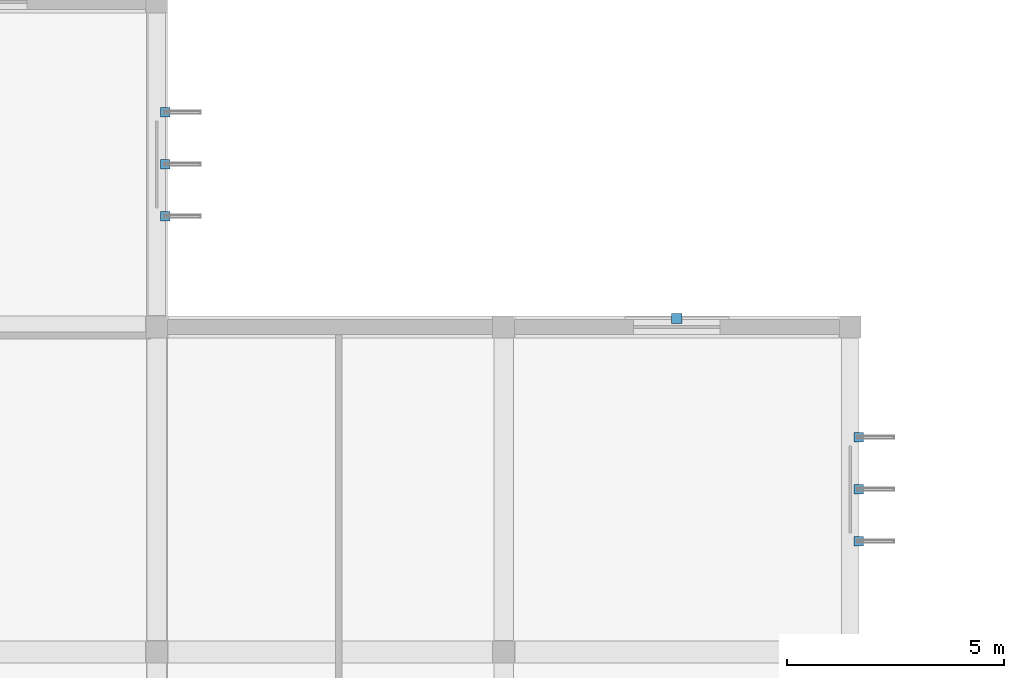
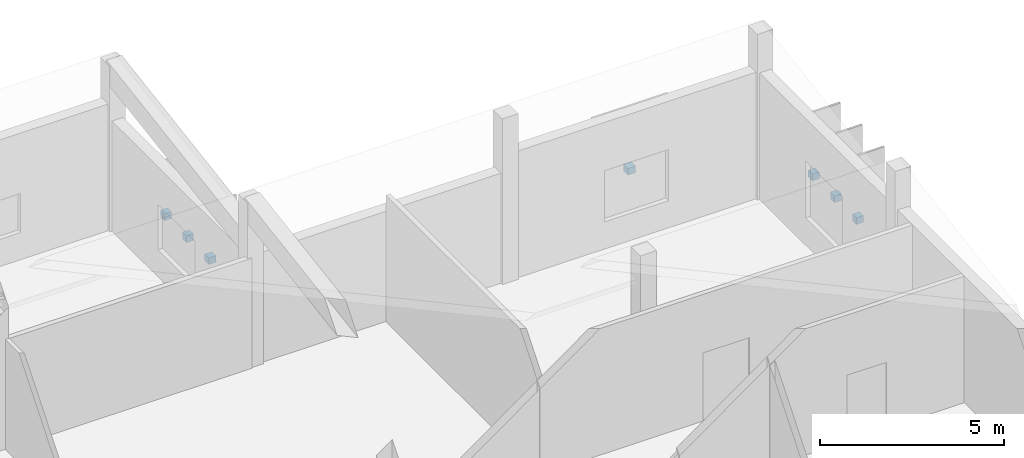
# One storey, part 153 of 164: 7 discrete accessories.
"""IFC4 building model written with IfcOpenShell, lengths in metres."""

from ifc_helpers import new_model, si_unit, direction, frame, origin, origin_2d, place, context, subcontext, project, spatial, rectangle, extrude, material, layer, layer_set, type_object, element, save


model = new_model("IFC4")

# Units and contexts
model_context = context("Model", 3, precision=1e-05, world=origin(), true_north=direction((0.0, 1.0)))
body_context = subcontext(model_context, "Body", "Model", "MODEL_VIEW")
ifc_project = project(units=[si_unit("LENGTHUNIT", "METRE"), si_unit("AREAUNIT", "SQUARE_METRE"), si_unit("VOLUMEUNIT", "CUBIC_METRE"), si_unit("PLANEANGLEUNIT", "RADIAN"), si_unit("MASSUNIT", "GRAM", prefix="KILO")], contexts=[model_context])

# Site, building, storey
site_placement = place(None, origin())
site = spatial("IfcSite", under=ifc_project, at=site_placement, CompositionType="ELEMENT")
building_placement = place(site_placement, origin())
building = spatial("IfcBuilding", under=site, at=building_placement, Name="Mawjan Specialist Oncology Clinic", CompositionType="ELEMENT")
storey_placement = place(building_placement, frame((0.0, 0.0, 5.0)))
storey = spatial("IfcBuildingStorey", under=building, at=storey_placement, Name="L01", CompositionType="ELEMENT", Elevation=5.0)

# Discrete accessories
ifc_material = material(Name="Structural steel S355", Category="steel")
ifc_layer = layer(ifc_material, 0.219970703125, Name="Structural steel S355", Category="steel")
ifc_layer_set = layer_set([ifc_layer], Name="Structural steel S355")
discrete_accessory_type = type_object("IfcDiscreteAccessoryType", Name="BRK-S355", PredefinedType="BRACKET", material=ifc_layer_set)
for number, where, z_axis, x_axis, name in (
    (1, (140.195068359375, 103.25, 1.71728515625), (0.0, 0.0, 1.0), (0.0, -1.0, 0.0), "Solar Fin Mounting Bracket 8"),
    (2, (140.195068359375, 102.050048828125, 1.71728515625), (0.0, 0.0, 1.0), (0.0, -1.0, 0.0), "Solar Fin Mounting Bracket 9"),
    (3, (140.195068359375, 100.85009765625, 1.71728515625), (0.0, 0.0, 1.0), (0.0, -1.0, 0.0), "Solar Fin Mounting Bracket 10"),
):
    element("IfcDiscreteAccessory", number, at=place(storey_placement, frame(where, z_axis=z_axis, x_axis=x_axis)), inside=storey, type_object=discrete_accessory_type, Name=name, PredefinedType="BRACKET", context=body_context, shape_type="SweptSolid", body=[
        extrude(rectangle(XDim=0.219970703125, YDim=0.219970703125, at=origin_2d()), origin(), (0.0, 0.0, 1.0), 0.219970703125),
    ])
discrete_accessory_placement = place(storey_placement, frame((152.0, 98.4951171875, 1.990234375), z_axis=(0.0, 0.0, 1.0), x_axis=(1.0, 0.0, 0.0)))
element("IfcDiscreteAccessory", 4, at=discrete_accessory_placement, inside=storey, type_object=discrete_accessory_type, Name="Rawshan Screen Mounting Bracket 11", PredefinedType="BRACKET", context=body_context, shape_type="SweptSolid", body=[
    extrude(rectangle(XDim=0.239990234375, YDim=0.239990234375, at=origin_2d()), origin(), (0.0, 0.0, 1.0), 0.219970703125),
])
for number, where, z_axis, x_axis, name in (
    (5, (156.195068359375, 95.75, 1.990234375), (0.0, 0.0, 1.0), (0.0, -1.0, 0.0), "Solar Fin Mounting Bracket 12"),
    (6, (156.195068359375, 94.550048828125, 1.990234375), (0.0, 0.0, 1.0), (0.0, -1.0, 0.0), "Solar Fin Mounting Bracket 13"),
    (7, (156.195068359375, 93.35009765625, 1.990234375), (0.0, 0.0, 1.0), (0.0, -1.0, 0.0), "Solar Fin Mounting Bracket 14"),
):
    element("IfcDiscreteAccessory", number, at=place(storey_placement, frame(where, z_axis=z_axis, x_axis=x_axis)), inside=storey, type_object=discrete_accessory_type, Name=name, PredefinedType="BRACKET", context=body_context, shape_type="SweptSolid", body=[
        extrude(rectangle(XDim=0.219970703125, YDim=0.219970703125, at=origin_2d()), origin(), (0.0, 0.0, 1.0), 0.219970703125),
    ])

save(model, "model.ifc")
